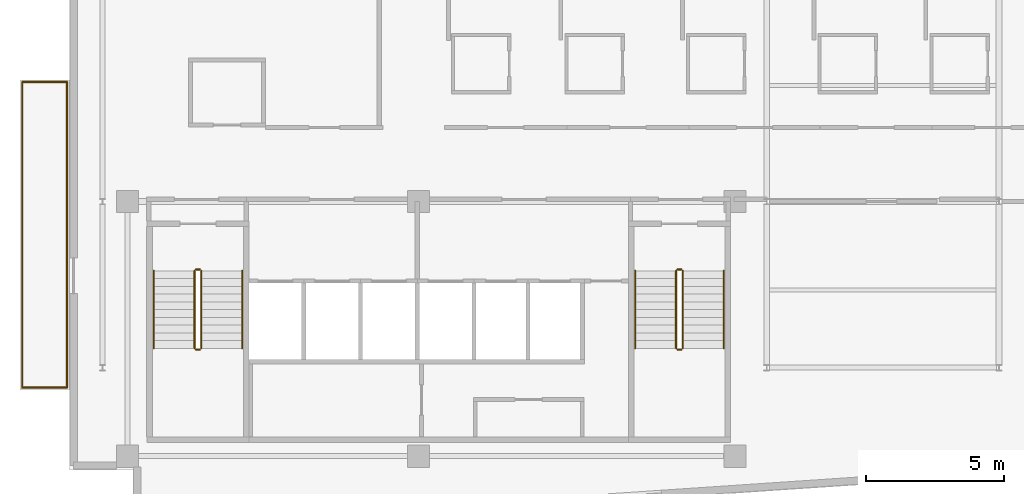
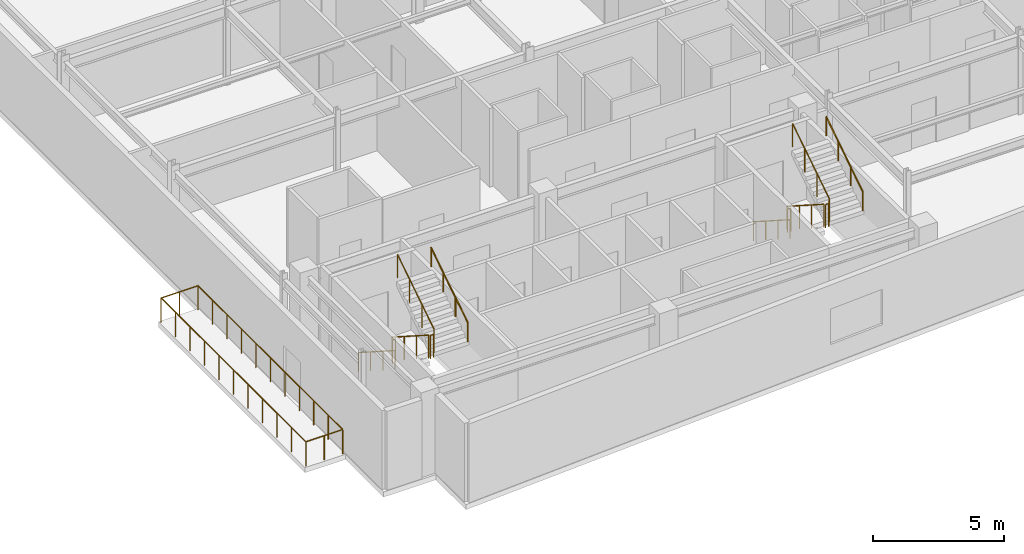
# One storey, part 13 of 15: 16 railings.
"""IFC4 building model written with IfcOpenShell, lengths in metres."""

from ifc_helpers import new_model, si_unit, direction, frame, origin, origin_2d, place, context, subcontext, project, spatial, circle, extrude, material, type_object, element, save


model = new_model("IFC4")

# Units and contexts
model_context = context("Model", 3, precision=1e-05, world=origin(), true_north=direction((0.0, 1.0)))
body_context = subcontext(model_context, "Body", "Model", "MODEL_VIEW")
ifc_project = project(units=[si_unit("LENGTHUNIT", "METRE"), si_unit("AREAUNIT", "SQUARE_METRE"), si_unit("VOLUMEUNIT", "CUBIC_METRE"), si_unit("PLANEANGLEUNIT", "RADIAN"), si_unit("MASSUNIT", "GRAM", prefix="KILO")], contexts=[model_context])

# Site, building, storey
site_placement = place(None, origin())
site = spatial("IfcSite", under=ifc_project, at=site_placement, CompositionType="ELEMENT")
building_placement = place(site_placement, origin())
building = spatial("IfcBuilding", under=site, at=building_placement, Name="Varnakote Quay Hospital", CompositionType="ELEMENT")
storey_placement = place(building_placement, frame((0.0, 0.0, 300.0)))
storey = spatial("IfcBuildingStorey", under=building, at=storey_placement, Name="L74", CompositionType="ELEMENT", Elevation=300.0)

# Railings
ifc_material_1 = material(Name="Anodised aluminium 6063-T6 Bronze", Category="aluminium")
railing_type_1 = type_object("IfcRailingType", Name="RLG-EXT-GUARD-1150", PredefinedType="GUARDRAIL", material=ifc_material_1)
railing_1_placement = place(storey_placement, frame((-0.075927734375, 5.280029296875, 0.0)))
element("IfcRailing", 1, at=railing_1_placement, inside=storey, type_object=railing_type_1, Name="L74 Zigzag Prow Healing Terrace Safety Guard", PredefinedType="GUARDRAIL", context=body_context, shape_type="SweptSolid", body=[
    extrude(circle(Radius=0.02392578125, at=origin_2d()), frame((0.0, 0.0, 1.1259765625), z_axis=(-1.0, 0.0, 0.0), x_axis=(0.0, -1.0, 0.0)), (0.0, 0.0, 1.0), 1.6240234375),
    extrude(circle(Radius=0.02099609375, at=origin_2d()), origin(), (0.0, 0.0, 1.0), 1.101806640625),
    extrude(circle(Radius=0.02099609375, at=origin_2d()), frame((-0.81201171875, 0.0, 0.0)), (0.0, 0.0, 1.0), 1.101806640625),
    extrude(circle(Radius=0.02099609375, at=origin_2d()), frame((-1.6240234375, 0.0, 0.0)), (0.0, 0.0, 1.0), 1.101806640625),
])
railing_2_placement = place(storey_placement, frame((-1.699951171875, 5.280029296875, 0.0)))
element("IfcRailing", 2, at=railing_2_placement, inside=storey, type_object=railing_type_1, Name="L74 Zigzag Prow Healing Terrace Safety Guard", PredefinedType="GUARDRAIL", context=body_context, shape_type="SweptSolid", body=[
    extrude(circle(Radius=0.02392578125, at=origin_2d()), frame((0.0, 0.0, 1.1259765625), z_axis=(0.0, 1.0, 0.0), x_axis=(-1.0, 0.0, 0.0)), (0.0, 0.0, 1.0), 11.0400390625),
    extrude(circle(Radius=0.02099609375, at=origin_2d()), origin(), (0.0, 0.0, 1.0), 1.101806640625),
    extrude(circle(Radius=0.02099609375, at=origin_2d()), frame((0.0, 1.10400390625, 0.0)), (0.0, 0.0, 1.0), 1.101806640625),
    extrude(circle(Radius=0.02099609375, at=origin_2d()), frame((0.0, 2.2080078125, 0.0)), (0.0, 0.0, 1.0), 1.101806640625),
    extrude(circle(Radius=0.02099609375, at=origin_2d()), frame((0.0, 3.31201171875, 0.0)), (0.0, 0.0, 1.0), 1.101806640625),
    extrude(circle(Radius=0.02099609375, at=origin_2d()), frame((0.0, 4.416015625, 0.0)), (0.0, 0.0, 1.0), 1.101806640625),
    extrude(circle(Radius=0.02099609375, at=origin_2d()), frame((0.0, 5.52001953125, 0.0)), (0.0, 0.0, 1.0), 1.101806640625),
    extrude(circle(Radius=0.02099609375, at=origin_2d()), frame((0.0, 6.6240234375, 0.0)), (0.0, 0.0, 1.0), 1.101806640625),
    extrude(circle(Radius=0.02099609375, at=origin_2d()), frame((0.0, 7.72802734375, 0.0)), (0.0, 0.0, 1.0), 1.101806640625),
    extrude(circle(Radius=0.02099609375, at=origin_2d()), frame((0.0, 8.83203125, 0.0)), (0.0, 0.0, 1.0), 1.101806640625),
    extrude(circle(Radius=0.02099609375, at=origin_2d()), frame((0.0, 9.93603515625, 0.0)), (0.0, 0.0, 1.0), 1.101806640625),
    extrude(circle(Radius=0.02099609375, at=origin_2d()), frame((0.0, 11.0400390625, 0.0)), (0.0, 0.0, 1.0), 1.101806640625),
])
railing_3_placement = place(storey_placement, frame((-1.699951171875, 16.320068359375, 0.0)))
element("IfcRailing", 3, at=railing_3_placement, inside=storey, type_object=railing_type_1, Name="L74 Zigzag Prow Healing Terrace Safety Guard", PredefinedType="GUARDRAIL", context=body_context, shape_type="SweptSolid", body=[
    extrude(circle(Radius=0.02392578125, at=origin_2d()), frame((0.0, 0.0, 1.1259765625), z_axis=(1.0, 0.0, 0.0), x_axis=(0.0, 1.0, 0.0)), (0.0, 0.0, 1.0), 1.6240234375),
    extrude(circle(Radius=0.02099609375, at=origin_2d()), origin(), (0.0, 0.0, 1.0), 1.101806640625),
    extrude(circle(Radius=0.02099609375, at=origin_2d()), frame((0.81201171875, 0.0, 0.0)), (0.0, 0.0, 1.0), 1.101806640625),
    extrude(circle(Radius=0.02099609375, at=origin_2d()), frame((1.6240234375, 0.0, 0.0)), (0.0, 0.0, 1.0), 1.101806640625),
])
railing_4_placement = place(storey_placement, frame((-0.075927734375, 16.320068359375, 0.0)))
element("IfcRailing", 4, at=railing_4_placement, inside=storey, type_object=railing_type_1, Name="L74 Zigzag Prow Healing Terrace Safety Guard", PredefinedType="GUARDRAIL", context=body_context, shape_type="SweptSolid", body=[
    extrude(circle(Radius=0.02392578125, at=origin_2d()), frame((0.0, 0.0, 1.1259765625), z_axis=(0.0, -1.0, 0.0), x_axis=(1.0, 0.0, 0.0)), (0.0, 0.0, 1.0), 11.0400390625),
    extrude(circle(Radius=0.02099609375, at=origin_2d()), origin(), (0.0, 0.0, 1.0), 1.101806640625),
    extrude(circle(Radius=0.02099609375, at=origin_2d()), frame((0.0, -1.10400390625, 0.0)), (0.0, 0.0, 1.0), 1.101806640625),
    extrude(circle(Radius=0.02099609375, at=origin_2d()), frame((0.0, -2.2080078125, 0.0)), (0.0, 0.0, 1.0), 1.101806640625),
    extrude(circle(Radius=0.02099609375, at=origin_2d()), frame((0.0, -3.31201171875, 0.0)), (0.0, 0.0, 1.0), 1.101806640625),
    extrude(circle(Radius=0.02099609375, at=origin_2d()), frame((0.0, -4.416015625, 0.0)), (0.0, 0.0, 1.0), 1.101806640625),
    extrude(circle(Radius=0.02099609375, at=origin_2d()), frame((0.0, -5.52001953125, 0.0)), (0.0, 0.0, 1.0), 1.101806640625),
    extrude(circle(Radius=0.02099609375, at=origin_2d()), frame((0.0, -6.6240234375, 0.0)), (0.0, 0.0, 1.0), 1.101806640625),
    extrude(circle(Radius=0.02099609375, at=origin_2d()), frame((0.0, -7.72802734375, 0.0)), (0.0, 0.0, 1.0), 1.101806640625),
    extrude(circle(Radius=0.02099609375, at=origin_2d()), frame((0.0, -8.83203125, 0.0)), (0.0, 0.0, 1.0), 1.101806640625),
    extrude(circle(Radius=0.02099609375, at=origin_2d()), frame((0.0, -9.93603515625, 0.0)), (0.0, 0.0, 1.0), 1.101806640625),
    extrude(circle(Radius=0.02099609375, at=origin_2d()), frame((0.0, -11.0400390625, 0.0)), (0.0, 0.0, 1.0), 1.101806640625),
])
ifc_material_2 = material(Name="Brushed stainless steel balustrade", Category="steel")
railing_type_2 = type_object("IfcRailingType", Name="RLG-STAIR-GUARD-1150", PredefinedType="GUARDRAIL", material=ifc_material_2)
railing_5_placement = place(storey_placement, frame((4.530029296875, 9.5, 0.179443359375)))
element("IfcRailing", 5, at=railing_5_placement, inside=storey, type_object=railing_type_2, Name="L74 ST-01 stair guard 1", PredefinedType="GUARDRAIL", context=body_context, shape_type="SweptSolid", body=[
    extrude(circle(Radius=0.02392578125, at=origin_2d()), frame((0.0, 0.0, 1.076171875), z_axis=(0.0, -0.841776520102, 0.539826166654), x_axis=(1.0, 0.0, 0.0)), (0.0, 0.0, 1.0), 3.326416015625),
    extrude(circle(Radius=0.02099609375, at=origin_2d()), origin(), (0.0, 0.0, 1.0), 1.052001953125),
    extrude(circle(Radius=0.02099609375, at=origin_2d()), frame((0.0, -0.933349609375, 0.5986328125)), (0.0, 0.0, 1.0), 1.052001953125),
    extrude(circle(Radius=0.02099609375, at=origin_2d()), frame((0.0, -1.86669921875, 1.197021484375)), (0.0, 0.0, 1.0), 1.052001953125),
    extrude(circle(Radius=0.02099609375, at=origin_2d()), frame((0.0, -2.800048828125, 1.795654296875)), (0.0, 0.0, 1.0), 1.052001953125),
])
railing_6_placement = place(storey_placement, frame((4.580078125, 6.64990234375, 1.97509765625)))
element("IfcRailing", 6, at=railing_6_placement, inside=storey, type_object=railing_type_2, Name="L74 ST-01 stair guard 2", PredefinedType="GUARDRAIL", context=body_context, shape_type="SweptSolid", body=[
    extrude(circle(Radius=0.02392578125, at=origin_2d()), frame((0.0, 0.0, 1.076171875), z_axis=(1.0, 0.0, 0.0), x_axis=(0.0, 1.0, 0.0)), (0.0, 0.0, 1.0), 0.139892578125),
    extrude(circle(Radius=0.02099609375, at=origin_2d()), origin(), (0.0, 0.0, 1.0), 1.052001953125),
    extrude(circle(Radius=0.02099609375, at=origin_2d()), frame((0.139892578125, 0.0, 0.0)), (0.0, 0.0, 1.0), 1.052001953125),
])
railing_7_placement = place(storey_placement, frame((4.77001953125, 6.699951171875, 2.154541015625)))
element("IfcRailing", 7, at=railing_7_placement, inside=storey, type_object=railing_type_2, Name="L74 ST-01 stair guard 3", PredefinedType="GUARDRAIL", context=body_context, shape_type="SweptSolid", body=[
    extrude(circle(Radius=0.02392578125, at=origin_2d()), frame((0.0, 0.0, 1.076171875), z_axis=(0.0, 0.841809871826, 0.539774156196), x_axis=(-1.0, 0.0, 0.0)), (0.0, 0.0, 1.0), 3.326171875),
    extrude(circle(Radius=0.02099609375, at=origin_2d()), origin(), (0.0, 0.0, 1.0), 1.052001953125),
    extrude(circle(Radius=0.02099609375, at=origin_2d()), frame((0.0, 0.933349609375, 0.598388671875)), (0.0, 0.0, 1.0), 1.052001953125),
    extrude(circle(Radius=0.02099609375, at=origin_2d()), frame((0.0, 1.86669921875, 1.197021484375)), (0.0, 0.0, 1.0), 1.052001953125),
    extrude(circle(Radius=0.02099609375, at=origin_2d()), frame((0.0, 2.800048828125, 1.79541015625)), (0.0, 0.0, 1.0), 1.052001953125),
])
railing_8_placement = place(storey_placement, frame((4.580078125, 9.550048828125, 0.0)))
element("IfcRailing", 8, at=railing_8_placement, inside=storey, type_object=railing_type_2, Name="L74 ST-01 stair guard 4", PredefinedType="GUARDRAIL", context=body_context, shape_type="SweptSolid", body=[
    extrude(circle(Radius=0.02392578125, at=origin_2d()), frame((0.0, 0.0, 1.076171875), z_axis=(1.0, 0.0, 0.0), x_axis=(0.0, 1.0, 0.0)), (0.0, 0.0, 1.0), 0.139892578125),
    extrude(circle(Radius=0.02099609375, at=origin_2d()), origin(), (0.0, 0.0, 1.0), 1.052001953125),
    extrude(circle(Radius=0.02099609375, at=origin_2d()), frame((0.139892578125, 0.0, 0.0)), (0.0, 0.0, 1.0), 1.052001953125),
])
railing_9_placement = place(storey_placement, frame((21.929931640625, 9.5, 0.179443359375)))
element("IfcRailing", 9, at=railing_9_placement, inside=storey, type_object=railing_type_2, Name="L74 ST-02 stair guard 1", PredefinedType="GUARDRAIL", context=body_context, shape_type="SweptSolid", body=[
    extrude(circle(Radius=0.02392578125, at=origin_2d()), frame((0.0, 0.0, 1.076171875), z_axis=(0.0, -0.841776520102, 0.539826166654), x_axis=(1.0, 0.0, 0.0)), (0.0, 0.0, 1.0), 3.326416015625),
    extrude(circle(Radius=0.02099609375, at=origin_2d()), origin(), (0.0, 0.0, 1.0), 1.052001953125),
    extrude(circle(Radius=0.02099609375, at=origin_2d()), frame((0.0, -0.933349609375, 0.5986328125)), (0.0, 0.0, 1.0), 1.052001953125),
    extrude(circle(Radius=0.02099609375, at=origin_2d()), frame((0.0, -1.86669921875, 1.197021484375)), (0.0, 0.0, 1.0), 1.052001953125),
    extrude(circle(Radius=0.02099609375, at=origin_2d()), frame((0.0, -2.800048828125, 1.795654296875)), (0.0, 0.0, 1.0), 1.052001953125),
])
railing_10_placement = place(storey_placement, frame((21.97998046875, 6.64990234375, 1.97509765625)))
element("IfcRailing", 10, at=railing_10_placement, inside=storey, type_object=railing_type_2, Name="L74 ST-02 stair guard 2", PredefinedType="GUARDRAIL", context=body_context, shape_type="SweptSolid", body=[
    extrude(circle(Radius=0.02392578125, at=origin_2d()), frame((0.0, 0.0, 1.076171875), z_axis=(1.0, 0.0, 0.0), x_axis=(0.0, 1.0, 0.0)), (0.0, 0.0, 1.0), 0.14013671875),
    extrude(circle(Radius=0.02099609375, at=origin_2d()), origin(), (0.0, 0.0, 1.0), 1.052001953125),
    extrude(circle(Radius=0.02099609375, at=origin_2d()), frame((0.14013671875, 0.0, 0.0)), (0.0, 0.0, 1.0), 1.052001953125),
])
railing_11_placement = place(storey_placement, frame((22.169921875, 6.699951171875, 2.154541015625)))
element("IfcRailing", 11, at=railing_11_placement, inside=storey, type_object=railing_type_2, Name="L74 ST-02 stair guard 3", PredefinedType="GUARDRAIL", context=body_context, shape_type="SweptSolid", body=[
    extrude(circle(Radius=0.02392578125, at=origin_2d()), frame((0.0, 0.0, 1.076171875), z_axis=(0.0, 0.841809871826, 0.539774156196), x_axis=(-1.0, 0.0, 0.0)), (0.0, 0.0, 1.0), 3.326171875),
    extrude(circle(Radius=0.02099609375, at=origin_2d()), origin(), (0.0, 0.0, 1.0), 1.052001953125),
    extrude(circle(Radius=0.02099609375, at=origin_2d()), frame((0.0, 0.933349609375, 0.598388671875)), (0.0, 0.0, 1.0), 1.052001953125),
    extrude(circle(Radius=0.02099609375, at=origin_2d()), frame((0.0, 1.86669921875, 1.197021484375)), (0.0, 0.0, 1.0), 1.052001953125),
    extrude(circle(Radius=0.02099609375, at=origin_2d()), frame((0.0, 2.800048828125, 1.79541015625)), (0.0, 0.0, 1.0), 1.052001953125),
])
railing_12_placement = place(storey_placement, frame((21.97998046875, 9.550048828125, 0.0)))
element("IfcRailing", 12, at=railing_12_placement, inside=storey, type_object=railing_type_2, Name="L74 ST-02 stair guard 4", PredefinedType="GUARDRAIL", context=body_context, shape_type="SweptSolid", body=[
    extrude(circle(Radius=0.02392578125, at=origin_2d()), frame((0.0, 0.0, 1.076171875), z_axis=(1.0, 0.0, 0.0), x_axis=(0.0, 1.0, 0.0)), (0.0, 0.0, 1.0), 0.14013671875),
    extrude(circle(Radius=0.02099609375, at=origin_2d()), origin(), (0.0, 0.0, 1.0), 1.052001953125),
    extrude(circle(Radius=0.02099609375, at=origin_2d()), frame((0.14013671875, 0.0, 0.0)), (0.0, 0.0, 1.0), 1.052001953125),
])
ifc_material_3 = material(Name="Brushed stainless steel handrail", Category="steel")
railing_type_3 = type_object("IfcRailingType", Name="RLG-STAIR-HND-920", PredefinedType="HANDRAIL", material=ifc_material_3)
railing_13_placement = place(storey_placement, frame((3.050048828125, 9.5, 0.179443359375)))
element("IfcRailing", 13, at=railing_13_placement, inside=storey, type_object=railing_type_3, Name="L74 ST-01 stair handrail 1", PredefinedType="HANDRAIL", context=body_context, shape_type="SweptSolid", body=[
    extrude(circle(Radius=0.02392578125, at=origin_2d()), frame((0.0, 0.0, 0.8759765625), z_axis=(0.0, -0.841776520102, 0.539826166654), x_axis=(1.0, 0.0, 0.0)), (0.0, 0.0, 1.0), 3.326416015625),
    extrude(circle(Radius=0.02099609375, at=origin_2d()), origin(), (0.0, 0.0, 1.0), 0.851806640625),
    extrude(circle(Radius=0.02099609375, at=origin_2d()), frame((0.0, -0.933349609375, 0.5986328125)), (0.0, 0.0, 1.0), 0.851806640625),
    extrude(circle(Radius=0.02099609375, at=origin_2d()), frame((0.0, -1.86669921875, 1.197021484375)), (0.0, 0.0, 1.0), 0.851806640625),
    extrude(circle(Radius=0.02099609375, at=origin_2d()), frame((0.0, -2.800048828125, 1.795654296875)), (0.0, 0.0, 1.0), 0.851806640625),
])
railing_14_placement = place(storey_placement, frame((6.25, 6.699951171875, 2.154541015625)))
element("IfcRailing", 14, at=railing_14_placement, inside=storey, type_object=railing_type_3, Name="L74 ST-01 stair handrail 2", PredefinedType="HANDRAIL", context=body_context, shape_type="SweptSolid", body=[
    extrude(circle(Radius=0.02392578125, at=origin_2d()), frame((0.0, 0.0, 0.8759765625), z_axis=(0.0, 0.841809871826, 0.539774156196), x_axis=(-1.0, 0.0, 0.0)), (0.0, 0.0, 1.0), 3.326171875),
    extrude(circle(Radius=0.02099609375, at=origin_2d()), origin(), (0.0, 0.0, 1.0), 0.851806640625),
    extrude(circle(Radius=0.02099609375, at=origin_2d()), frame((0.0, 0.933349609375, 0.598388671875)), (0.0, 0.0, 1.0), 0.851806640625),
    extrude(circle(Radius=0.02099609375, at=origin_2d()), frame((0.0, 1.86669921875, 1.197021484375)), (0.0, 0.0, 1.0), 0.851806640625),
    extrude(circle(Radius=0.02099609375, at=origin_2d()), frame((0.0, 2.800048828125, 1.79541015625)), (0.0, 0.0, 1.0), 0.851806640625),
])
railing_15_placement = place(storey_placement, frame((20.449951171875, 9.5, 0.179443359375)))
element("IfcRailing", 15, at=railing_15_placement, inside=storey, type_object=railing_type_3, Name="L74 ST-02 stair handrail 1", PredefinedType="HANDRAIL", context=body_context, shape_type="SweptSolid", body=[
    extrude(circle(Radius=0.02392578125, at=origin_2d()), frame((0.0, 0.0, 0.8759765625), z_axis=(0.0, -0.841776520102, 0.539826166654), x_axis=(1.0, 0.0, 0.0)), (0.0, 0.0, 1.0), 3.326416015625),
    extrude(circle(Radius=0.02099609375, at=origin_2d()), origin(), (0.0, 0.0, 1.0), 0.851806640625),
    extrude(circle(Radius=0.02099609375, at=origin_2d()), frame((0.0, -0.933349609375, 0.5986328125)), (0.0, 0.0, 1.0), 0.851806640625),
    extrude(circle(Radius=0.02099609375, at=origin_2d()), frame((0.0, -1.86669921875, 1.197021484375)), (0.0, 0.0, 1.0), 0.851806640625),
    extrude(circle(Radius=0.02099609375, at=origin_2d()), frame((0.0, -2.800048828125, 1.795654296875)), (0.0, 0.0, 1.0), 0.851806640625),
])
railing_16_placement = place(storey_placement, frame((23.64990234375, 6.699951171875, 2.154541015625)))
element("IfcRailing", 16, at=railing_16_placement, inside=storey, type_object=railing_type_3, Name="L74 ST-02 stair handrail 2", PredefinedType="HANDRAIL", context=body_context, shape_type="SweptSolid", body=[
    extrude(circle(Radius=0.02392578125, at=origin_2d()), frame((0.0, 0.0, 0.8759765625), z_axis=(0.0, 0.841809871826, 0.539774156196), x_axis=(-1.0, 0.0, 0.0)), (0.0, 0.0, 1.0), 3.326171875),
    extrude(circle(Radius=0.02099609375, at=origin_2d()), origin(), (0.0, 0.0, 1.0), 0.851806640625),
    extrude(circle(Radius=0.02099609375, at=origin_2d()), frame((0.0, 0.933349609375, 0.598388671875)), (0.0, 0.0, 1.0), 0.851806640625),
    extrude(circle(Radius=0.02099609375, at=origin_2d()), frame((0.0, 1.86669921875, 1.197021484375)), (0.0, 0.0, 1.0), 0.851806640625),
    extrude(circle(Radius=0.02099609375, at=origin_2d()), frame((0.0, 2.800048828125, 1.79541015625)), (0.0, 0.0, 1.0), 0.851806640625),
])

save(model, "model.ifc")
